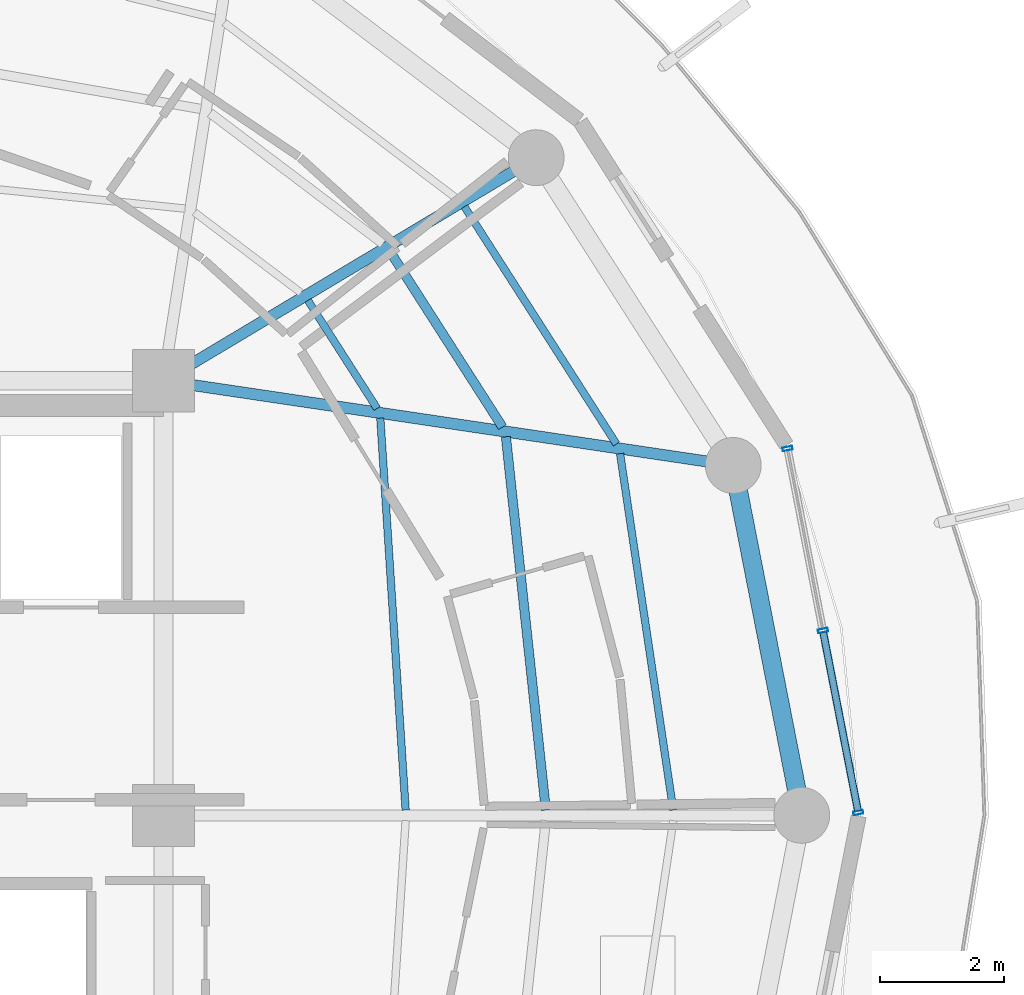
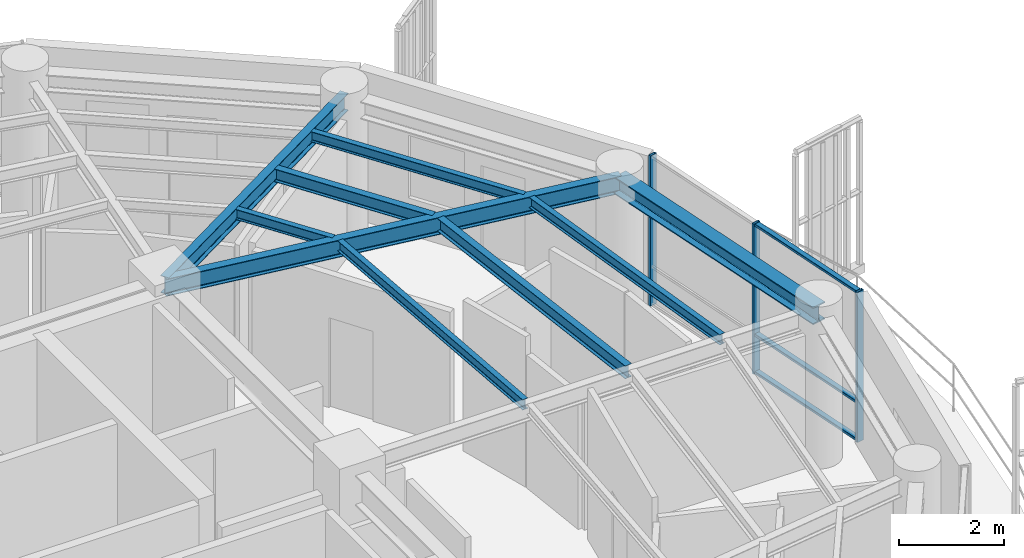
# One storey, part 11 of 23: 9 beams, 6 members, 1 element without a shape of its own.
"""IFC4 building model written with IfcOpenShell, lengths in metres."""

from ifc_helpers import new_model, si_unit, direction, frame, origin, origin_2d, place, context, subcontext, project, spatial, hollow_rectangle, i_section, extrude, material, layer, layer_set, material_profile, profile_set, type_object, element, aggregate, save


model = new_model("IFC4")

# Units and contexts
model_context = context("Model", 3, precision=1e-05, world=origin(), true_north=direction((0.0, 1.0)))
body_context = subcontext(model_context, "Body", "Model", "MODEL_VIEW")
ifc_project = project(units=[si_unit("LENGTHUNIT", "METRE"), si_unit("AREAUNIT", "SQUARE_METRE"), si_unit("VOLUMEUNIT", "CUBIC_METRE"), si_unit("PLANEANGLEUNIT", "RADIAN"), si_unit("MASSUNIT", "GRAM", prefix="KILO")], contexts=[model_context])

# Site, building, storey
site_placement = place(None, origin())
site = spatial("IfcSite", under=ifc_project, at=site_placement, CompositionType="ELEMENT")
building_placement = place(site_placement, origin())
building = spatial("IfcBuilding", under=site, at=building_placement, Name="Kelanora Arch Commons", CompositionType="ELEMENT")
storey_placement = place(building_placement, frame((0.0, 0.0, 252.449951171875)))
storey = spatial("IfcBuildingStorey", under=building, at=storey_placement, Name="L64", CompositionType="ELEMENT", Elevation=252.449951171875)

# Beams
ifc_material_1 = material(Name="Steel S355", Category="steel")
ifc_material_profile_1 = material_profile(ifc_material_1, i_section(OverallWidth=0.14990234375, OverallDepth=0.300048828125, WebThickness=0.007080078125, FlangeThickness=0.0107421875, FilletRadius=0.014892578125, at=origin_2d()), Name="IPE300")
ifc_profile_set_1 = profile_set([ifc_material_profile_1], Name="Steel S355")
beam_type_1 = type_object("IfcBeamType", Name="BM-JST-01", PredefinedType="JOIST", material=ifc_profile_set_1)
beam_1_placement = place(storey_placement, frame((88.158935546875, 58.08447265625, 3.340087890625), z_axis=(-0.106380594087, 0.994325484538, 0.0), x_axis=(-0.994325484538, -0.106380594087, 0.0)))
element("IfcBeam", 1, at=beam_1_placement, inside=storey, type_object=beam_type_1, Name="Secondary Chord Joist BJB-00 L64", PredefinedType="JOIST", context=body_context, shape_type="SweptSolid", body=[
    extrude(i_section(OverallWidth=0.14990234375, OverallDepth=0.300048828125, WebThickness=0.007080078125, FlangeThickness=0.0107421875, FilletRadius=0.014892578125, at=origin_2d()), origin(), (0.0, 0.0, 1.0), 6.04736328125),
])
beam_2_placement = place(storey_placement, frame((87.460693359375, 64.25341796875, 3.340087890625), z_axis=(-0.539321586177, 0.842099891155, 0.0), x_axis=(-0.842099891155, -0.539321586177, 0.0)))
element("IfcBeam", 2, at=beam_2_placement, inside=storey, type_object=beam_type_1, Name="Secondary Chord Joist BJB-02 L64", PredefinedType="JOIST", context=body_context, shape_type="SweptSolid", body=[
    extrude(i_section(OverallWidth=0.14990234375, OverallDepth=0.300048828125, WebThickness=0.007080078125, FlangeThickness=0.0107421875, FilletRadius=0.014892578125, at=origin_2d()), origin(), (0.0, 0.0, 1.0), 3.361572265625),
])
ifc_material_profile_2 = material_profile(ifc_material_1, i_section(OverallWidth=0.1201171875, OverallDepth=0.239990234375, WebThickness=0.006103515625, FlangeThickness=0.009765625, FilletRadius=0.014892578125, at=origin_2d()), Name="IPE240")
ifc_profile_set_2 = profile_set([ifc_material_profile_2], Name="Steel S355")
beam_type_2 = type_object("IfcBeamType", Name="BM-JST-02", PredefinedType="JOIST", material=ifc_profile_set_2)
beam_3_placement = place(storey_placement, frame((85.90087890625, 58.084716796875, 3.3701171875), z_axis=(-0.064495107978, 0.99791802321, 0.0), x_axis=(-0.99791802321, -0.064495107978, 0.0)))
element("IfcBeam", 3, at=beam_3_placement, inside=storey, type_object=beam_type_2, Name="Secondary Chord Joist BJA-00 L64", PredefinedType="JOIST", context=body_context, shape_type="SweptSolid", body=[
    extrude(i_section(OverallWidth=0.1201171875, OverallDepth=0.239990234375, WebThickness=0.006103515625, FlangeThickness=0.009765625, FilletRadius=0.014892578125, at=origin_2d()), origin(), (0.0, 0.0, 1.0), 6.325439453125),
])
beam_4_placement = place(storey_placement, frame((90.21142578125, 58.083984375, 3.3701171875), z_axis=(-0.14762470282, 0.989043450571, 0.0), x_axis=(-0.989043450571, -0.14762470282, 0.0)))
element("IfcBeam", 4, at=beam_4_placement, inside=storey, type_object=beam_type_2, Name="Secondary Chord Joist BJC-00 L64", PredefinedType="JOIST", context=body_context, shape_type="SweptSolid", body=[
    extrude(i_section(OverallWidth=0.1201171875, OverallDepth=0.239990234375, WebThickness=0.006103515625, FlangeThickness=0.009765625, FilletRadius=0.014892578125, at=origin_2d()), origin(), (0.0, 0.0, 1.0), 5.804931640625),
])
beam_5_placement = place(storey_placement, frame((85.441650390625, 64.553466796875, 3.3701171875), z_axis=(-0.539311810315, 0.842106152011, 0.0), x_axis=(-0.842106152011, -0.539311810315, 0.0)))
element("IfcBeam", 5, at=beam_5_placement, inside=storey, type_object=beam_type_2, Name="Secondary Chord Joist BJA-02 L64", PredefinedType="JOIST", context=body_context, shape_type="SweptSolid", body=[
    extrude(i_section(OverallWidth=0.1201171875, OverallDepth=0.239990234375, WebThickness=0.006103515625, FlangeThickness=0.009765625, FilletRadius=0.014892578125, at=origin_2d()), origin(), (0.0, 0.0, 1.0), 2.06640625),
])
beam_6_placement = place(storey_placement, frame((89.296142578125, 63.980712890625, 3.3701171875), z_axis=(-0.539288735289, 0.842120929552, 0.0), x_axis=(-0.842120929552, -0.539288735289, 0.0)))
element("IfcBeam", 6, at=beam_6_placement, inside=storey, type_object=beam_type_2, Name="Secondary Chord Joist BJC-02 L64", PredefinedType="JOIST", context=body_context, shape_type="SweptSolid", body=[
    extrude(i_section(OverallWidth=0.1201171875, OverallDepth=0.239990234375, WebThickness=0.006103515625, FlangeThickness=0.009765625, FilletRadius=0.014892578125, at=origin_2d()), origin(), (0.0, 0.0, 1.0), 4.538818359375),
])
ifc_material_profile_3 = material_profile(ifc_material_1, i_section(OverallWidth=0.179931640625, OverallDepth=0.39990234375, WebThickness=0.008544921875, FlangeThickness=0.013427734375, FilletRadius=0.02099609375, at=origin_2d()), Name="IPE400")
ifc_profile_set_3 = profile_set([ifc_material_profile_3], Name="Steel S355")
beam_type_3 = type_object("IfcBeamType", Name="BM-RAD-Z5", PredefinedType="BEAM", material=ifc_profile_set_3)
beam_7_placement = place(storey_placement, frame((82.0, 65.0, 3.2900390625), z_axis=(0.989142485564, -0.146959665395, 0.0), x_axis=(0.146959665395, 0.989142485564, 0.0)))
element("IfcBeam", 7, at=beam_7_placement, inside=storey, type_object=beam_type_3, Name="Radial Floor Girder BR-02 L64", PredefinedType="BEAM", context=body_context, shape_type="SweptSolid", body=[
    extrude(i_section(OverallWidth=0.179931640625, OverallDepth=0.39990234375, WebThickness=0.008544921875, FlangeThickness=0.013427734375, FilletRadius=0.02099609375, at=origin_2d()), origin(), (0.0, 0.0, 1.0), 9.2783203125),
])
beam_8_placement = place(storey_placement, frame((82.0, 65.0, 3.2900390625), z_axis=(0.858062005744, 0.513546097541, 0.0), x_axis=(-0.513546097541, 0.858062005744, 0.0)))
element("IfcBeam", 8, at=beam_8_placement, inside=storey, type_object=beam_type_3, Name="Radial Floor Girder BR-04 L64", PredefinedType="BEAM", context=body_context, shape_type="SweptSolid", body=[
    extrude(i_section(OverallWidth=0.179931640625, OverallDepth=0.39990234375, WebThickness=0.008544921875, FlangeThickness=0.013427734375, FilletRadius=0.02099609375, at=origin_2d()), origin(), (0.0, 0.0, 1.0), 6.99658203125),
])
ifc_material_profile_4 = material_profile(ifc_material_1, i_section(OverallWidth=0.300048828125, OverallDepth=0.39990234375, WebThickness=0.013427734375, FlangeThickness=0.02392578125, FilletRadius=0.027099609375, at=origin_2d()), Name="HEB400")
ifc_profile_set_4 = profile_set([ifc_material_profile_4], Name="Steel S355")
beam_type_4 = type_object("IfcBeamType", Name="BM-SPN-Z4", PredefinedType="SPANDREL", material=ifc_profile_set_4)
beam_9_placement = place(storey_placement, frame((92.280029296875, 58.0, 3.2900390625), z_axis=(-0.191969774604, 0.981400838413, 0.0), x_axis=(-0.981400838413, -0.191969774604, 0.0)))
element("IfcBeam", 9, at=beam_9_placement, inside=storey, type_object=beam_type_4, Name="Perimeter Spandrel Beam BS-00 L64", PredefinedType="SPANDREL", context=body_context, shape_type="SweptSolid", body=[
    extrude(i_section(OverallWidth=0.300048828125, OverallDepth=0.39990234375, WebThickness=0.013427734375, FlangeThickness=0.02392578125, FilletRadius=0.027099609375, at=origin_2d()), origin(), (0.0, 0.0, 1.0), 5.743408203125),
])

# Curtain wall, members
ifc_material_2 = material(Name="Terracotta ceramic-fritted low-E glass and aluminium", Category="masonry")
ifc_layer = layer(ifc_material_2, 0.18994140625)
ifc_layer_set = layer_set([ifc_layer], Name="Terracotta ceramic-fritted low-E glass and aluminium")
curtain_wall_type = type_object("IfcCurtainWallType", Name="CW-SYS-03", PredefinedType="NOTDEFINED", material=ifc_layer_set)
curtain_wall_placement = place(storey_placement, origin())
curtain_wall = element("IfcCurtainWall", 10, at=curtain_wall_placement, inside=storey, type_object=curtain_wall_type, Name="Unitised Curtain Wall L64-B00", PredefinedType="NOTDEFINED")
ifc_material_3 = material(Name="Powder-coated aluminium terracotta", Category="masonry")
ifc_material_profile_5 = material_profile(ifc_material_3, hollow_rectangle(XDim=0.159912109375, YDim=0.06005859375, WallThickness=0.0048828125, InnerFilletRadius=0.0048828125, OuterFilletRadius=0.010009765625, at=origin_2d()), Name="CWM160x60")
ifc_profile_set_5 = profile_set([ifc_material_profile_5], Name="Powder-coated aluminium terracotta")
member_type_1 = type_object("IfcMemberType", Name="CWM-STD", PredefinedType="MULLION", material=ifc_profile_set_5)
member_1_placement = place(storey_placement, frame((93.19140625, 58.044189453125, 0.0), z_axis=(0.0, 0.0, 1.0), x_axis=(-0.981595542501, -0.190971701941, 0.0)))
member_1 = element("IfcMember", 11, at=member_1_placement, type_object=member_type_1, Name="CW-03 mullion 1", PredefinedType="MULLION", context=body_context, shape_type="SweptSolid", body=[
    extrude(hollow_rectangle(XDim=0.159912109375, YDim=0.06005859375, WallThickness=0.0048828125, InnerFilletRadius=0.0048828125, OuterFilletRadius=0.010009765625, at=origin_2d()), origin(), (0.0, 0.0, 1.0), 3.47509765625),
])
member_2_placement = place(storey_placement, frame((92.62109375, 60.9755859375, 0.0), z_axis=(0.0, 0.0, 1.0), x_axis=(-0.981595542501, -0.190971701941, 0.0)))
member_2 = element("IfcMember", 12, at=member_2_placement, type_object=member_type_1, Name="CW-03 mullion 2", PredefinedType="MULLION", context=body_context, shape_type="SweptSolid", body=[
    extrude(hollow_rectangle(XDim=0.159912109375, YDim=0.06005859375, WallThickness=0.0048828125, InnerFilletRadius=0.0048828125, OuterFilletRadius=0.010009765625, at=origin_2d()), origin(), (0.0, 0.0, 1.0), 3.47509765625),
])
member_3_placement = place(storey_placement, frame((92.05078125, 63.906982421875, 0.0), z_axis=(0.0, 0.0, 1.0), x_axis=(-0.981595542501, -0.190971701941, 0.0)))
member_3 = element("IfcMember", 13, at=member_3_placement, type_object=member_type_1, Name="CW-03 mullion 3", PredefinedType="MULLION", context=body_context, shape_type="SweptSolid", body=[
    extrude(hollow_rectangle(XDim=0.159912109375, YDim=0.06005859375, WallThickness=0.0048828125, InnerFilletRadius=0.0048828125, OuterFilletRadius=0.010009765625, at=origin_2d()), origin(), (0.0, 0.0, 1.0), 3.47509765625),
])
ifc_material_profile_6 = material_profile(ifc_material_3, hollow_rectangle(XDim=0.1201171875, YDim=0.06005859375, WallThickness=0.0048828125, InnerFilletRadius=0.0048828125, OuterFilletRadius=0.010009765625, at=origin_2d()), Name="CWT120x60")
ifc_profile_set_6 = profile_set([ifc_material_profile_6], Name="Powder-coated aluminium terracotta")
member_type_2 = type_object("IfcMemberType", Name="CWT-STD", PredefinedType="USERDEFINED", material=ifc_profile_set_6)
member_4_placement = place(storey_placement, frame((93.185546875, 58.073486328125, 0.030029296875), z_axis=(-0.190963443354, 0.981597149192, 0.0), x_axis=(-0.981597149192, -0.190963443354, 0.0)))
member_4 = element("IfcMember", 14, at=member_4_placement, type_object=member_type_2, Name="CW-03 transom 1.1", ObjectType="TRANSOM", PredefinedType="USERDEFINED", context=body_context, shape_type="SweptSolid", body=[
    extrude(hollow_rectangle(XDim=0.1201171875, YDim=0.06005859375, WallThickness=0.0048828125, InnerFilletRadius=0.0048828125, OuterFilletRadius=0.010009765625, at=origin_2d()), origin(), (0.0, 0.0, 1.0), 2.926513671875),
])
member_5_placement = place(storey_placement, frame((93.185546875, 58.073486328125, 0.900146484375), z_axis=(-0.190963443354, 0.981597149192, 0.0), x_axis=(-0.981597149192, -0.190963443354, 0.0)))
member_5 = element("IfcMember", 15, at=member_5_placement, type_object=member_type_2, Name="CW-03 transom 1.2", ObjectType="TRANSOM", PredefinedType="USERDEFINED", context=body_context, shape_type="SweptSolid", body=[
    extrude(hollow_rectangle(XDim=0.1201171875, YDim=0.06005859375, WallThickness=0.0048828125, InnerFilletRadius=0.0048828125, OuterFilletRadius=0.010009765625, at=origin_2d()), origin(), (0.0, 0.0, 1.0), 2.926513671875),
])
member_6_placement = place(storey_placement, frame((93.185546875, 58.073486328125, 3.445068359375), z_axis=(-0.190963443354, 0.981597149192, 0.0), x_axis=(-0.981597149192, -0.190963443354, 0.0)))
member_6 = element("IfcMember", 16, at=member_6_placement, type_object=member_type_2, Name="CW-03 transom 1.3", ObjectType="TRANSOM", PredefinedType="USERDEFINED", context=body_context, shape_type="SweptSolid", body=[
    extrude(hollow_rectangle(XDim=0.1201171875, YDim=0.06005859375, WallThickness=0.0048828125, InnerFilletRadius=0.0048828125, OuterFilletRadius=0.010009765625, at=origin_2d()), origin(), (0.0, 0.0, 1.0), 2.926513671875),
])
aggregate(curtain_wall, [member_1, member_2, member_3, member_4, member_5, member_6])

save(model, "model.ifc")
